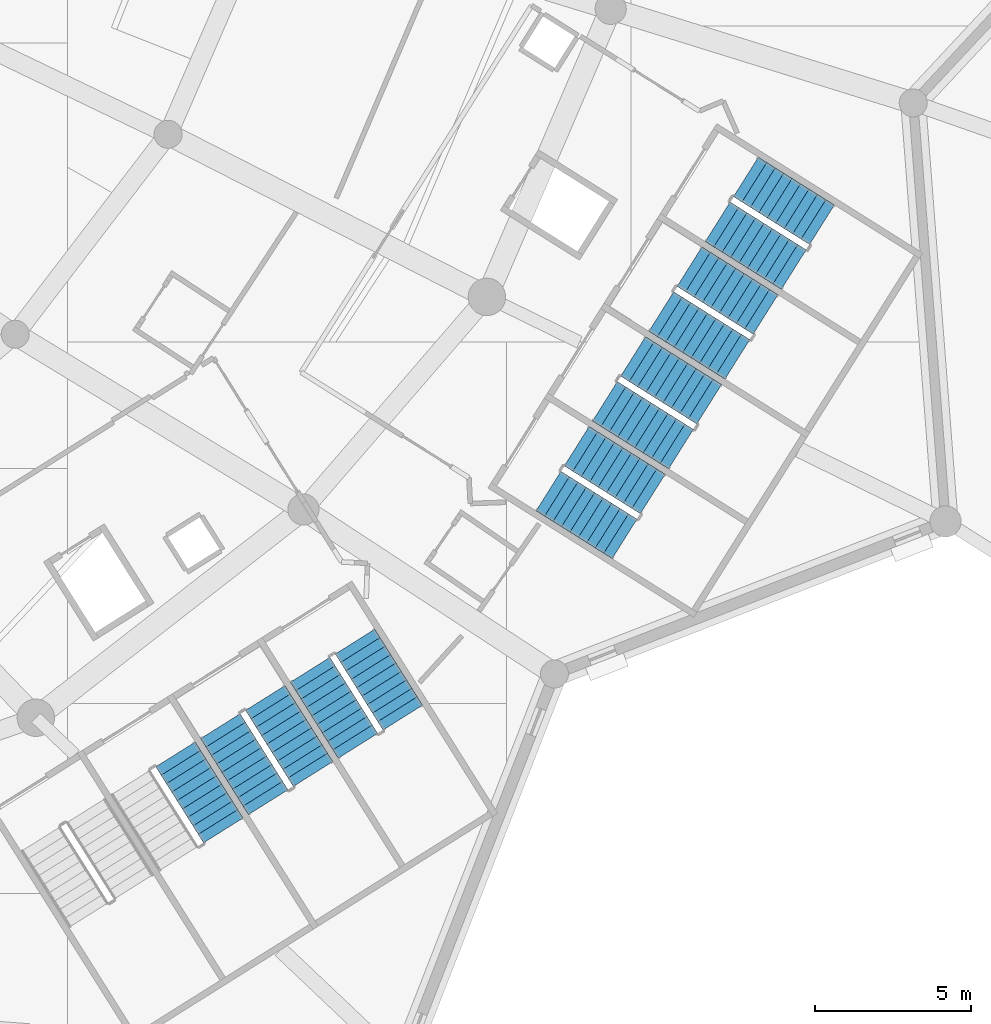
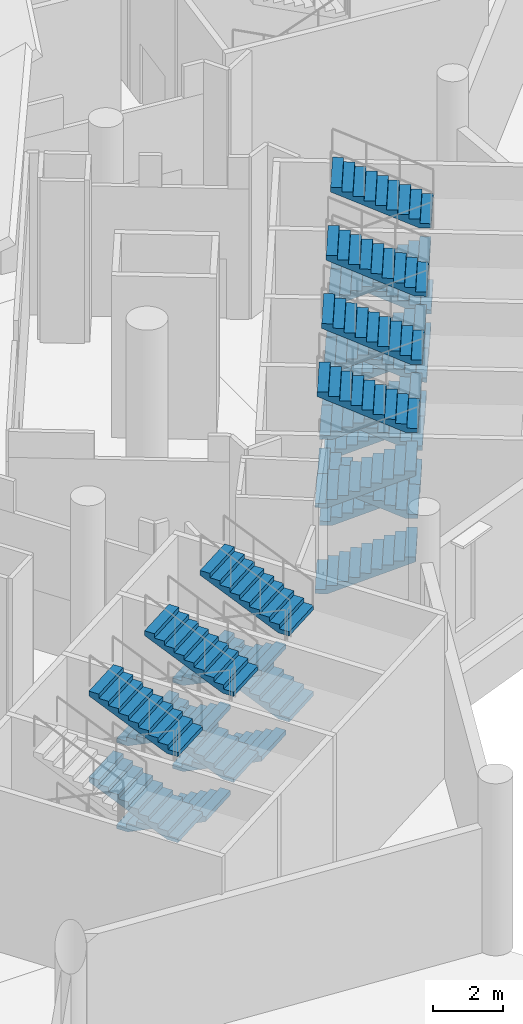
# One storey, part 188 of 249: 26 stair flights, 7 elements without a shape of their own.
"""IFC4 building model written with IfcOpenShell, lengths in metres."""

from ifc_helpers import new_model, si_unit, direction, frame, origin, place, context, subcontext, project, spatial, polyline, outline, extrude, material, type_object, element, aggregate, save


model = new_model("IFC4")

# Units and contexts
model_context = context("Model", 3, precision=1e-05, world=origin(), true_north=direction((0.0, 1.0)))
body_context = subcontext(model_context, "Body", "Model", "MODEL_VIEW")
ifc_project = project(units=[si_unit("LENGTHUNIT", "METRE"), si_unit("AREAUNIT", "SQUARE_METRE"), si_unit("VOLUMEUNIT", "CUBIC_METRE"), si_unit("PLANEANGLEUNIT", "RADIAN"), si_unit("MASSUNIT", "GRAM", prefix="KILO")], contexts=[model_context])

# Site, building, storey
site_placement = place(None, origin())
site = spatial("IfcSite", under=ifc_project, at=site_placement, CompositionType="ELEMENT")
building_placement = place(site_placement, origin())
building = spatial("IfcBuilding", under=site, at=building_placement, Name="Meseta Stadium", CompositionType="ELEMENT")
storey_placement = place(building_placement, frame((0.0, 0.0, 12.0)))
storey = spatial("IfcBuildingStorey", under=building, at=storey_placement, Name="L02", CompositionType="ELEMENT", Elevation=12.0)

# Stair, stair flights
ifc_material_1 = material(Name="Concrete C40/50", Category="concrete")
stair_type = type_object("IfcStairType", Name="Exit stair 4 flights 150 mm risers", PredefinedType="HALF_TURN_STAIR", material=ifc_material_1)
stair_1_placement = place(storey_placement, origin())
stair_1 = element("IfcStair", 1, at=stair_1_placement, inside=storey, type_object=stair_type, Name="ST106 L02", PredefinedType="HALF_TURN_STAIR")
ifc_material_2 = material(Name="Concrete C40/50", Category="concrete")
stair_flight_type = type_object("IfcStairFlightType", Name="Exit stair flight 150 mm risers, 4 per storey", PredefinedType="STRAIGHT", material=ifc_material_2)
stair_flight_1_placement = place(storey_placement, frame((69.7431640625, -89.384521484375, 1.5), z_axis=(0.0, 0.0, 1.0), x_axis=(-0.532032074404, 0.846724200555, 0.0)))
stair_flight_1 = element("IfcStairFlight", 2, at=stair_flight_1_placement, type_object=stair_flight_type, Name="ST106 L02 flight 2", NumberOfRisers=10, NumberOfTreads=9, PredefinedType="STRAIGHT", RiserHeight=0.15, TreadLength=0.32, context=body_context, shape_type="SweptSolid", body=[
    extrude(outline(polyline([(0.0, 0.0), (0.0, 0.14990234375), (0.320068359375, 0.14990234375), (0.320068359375, 0.300048828125), (0.639892578125, 0.300048828125), (0.639892578125, 0.449951171875), (0.9599609375, 0.449951171875), (0.9599609375, 0.60009765625), (1.280029296875, 0.60009765625), (1.280029296875, 0.75), (1.60009765625, 0.75), (1.60009765625, 0.89990234375), (1.919921875, 0.89990234375), (1.919921875, 1.050048828125), (2.239990234375, 1.050048828125), (2.239990234375, 1.199951171875), (2.56005859375, 1.199951171875), (2.56005859375, 1.35009765625), (2.8798828125, 1.35009765625), (2.8798828125, 1.184326171875), (0.353271484375, 0.0), (0.0, 0.0)])), frame((0.0, 0.75, 0.0), z_axis=(0.0, -1.0, 0.0), x_axis=(1.0, 0.0, 0.0)), (0.0, 0.0, 1.0), 1.5),
])
stair_flight_2_placement = place(storey_placement, frame((69.7431640625, -89.384521484375, 4.5), z_axis=(0.0, 0.0, 1.0), x_axis=(-0.532032074404, 0.846724200555, 0.0)))
stair_flight_2 = element("IfcStairFlight", 3, at=stair_flight_2_placement, type_object=stair_flight_type, Name="ST106 L02 flight 4", NumberOfRisers=10, NumberOfTreads=9, PredefinedType="STRAIGHT", RiserHeight=0.15, TreadLength=0.32, context=body_context, shape_type="SweptSolid", body=[
    extrude(outline(polyline([(0.0, 0.0), (0.0, 0.14990234375), (0.320068359375, 0.14990234375), (0.320068359375, 0.300048828125), (0.639892578125, 0.300048828125), (0.639892578125, 0.449951171875), (0.9599609375, 0.449951171875), (0.9599609375, 0.60009765625), (1.280029296875, 0.60009765625), (1.280029296875, 0.75), (1.60009765625, 0.75), (1.60009765625, 0.89990234375), (1.919921875, 0.89990234375), (1.919921875, 1.050048828125), (2.239990234375, 1.050048828125), (2.239990234375, 1.199951171875), (2.56005859375, 1.199951171875), (2.56005859375, 1.35009765625), (2.8798828125, 1.35009765625), (2.8798828125, 1.184326171875), (0.353271484375, 0.0), (0.0, 0.0)])), frame((0.0, 0.75, 0.0), z_axis=(0.0, -1.0, 0.0), x_axis=(1.0, 0.0, 0.0)), (0.0, 0.0, 1.0), 1.5),
])
aggregate(stair_1, [stair_flight_1, stair_flight_2])

stair_2_placement = place(storey_placement, origin())
stair_2 = element("IfcStair", 4, at=stair_2_placement, inside=storey, type_object=stair_type, Name="ST107 L02", PredefinedType="HALF_TURN_STAIR")
stair_flight_3_placement = place(storey_placement, frame((69.650390625, -86.04150390625, 0.0), z_axis=(0.0, 0.0, 1.0), x_axis=(0.532032074404, -0.846724200555, 0.0)))
stair_flight_3 = element("IfcStairFlight", 5, at=stair_flight_3_placement, type_object=stair_flight_type, Name="ST107 L02 flight 1", NumberOfRisers=10, NumberOfTreads=9, PredefinedType="STRAIGHT", RiserHeight=0.15, TreadLength=0.32, context=body_context, shape_type="SweptSolid", body=[
    extrude(outline(polyline([(0.0, 0.0), (0.0, 0.14990234375), (0.320068359375, 0.14990234375), (0.320068359375, 0.300048828125), (0.639892578125, 0.300048828125), (0.639892578125, 0.449951171875), (0.9599609375, 0.449951171875), (0.9599609375, 0.60009765625), (1.280029296875, 0.60009765625), (1.280029296875, 0.75), (1.60009765625, 0.75), (1.60009765625, 0.89990234375), (1.919921875, 0.89990234375), (1.919921875, 1.050048828125), (2.239990234375, 1.050048828125), (2.239990234375, 1.199951171875), (2.56005859375, 1.199951171875), (2.56005859375, 1.35009765625), (2.8798828125, 1.35009765625), (2.8798828125, 1.184326171875), (0.353271484375, 0.0), (0.0, 0.0)])), frame((0.0, 0.75, 0.0), z_axis=(0.0, -1.0, 0.0), x_axis=(1.0, 0.0, 0.0)), (0.0, 0.0, 1.0), 1.5),
])
stair_flight_4_placement = place(storey_placement, frame((72.6220703125, -87.57568359375, 1.5), z_axis=(0.0, 0.0, 1.0), x_axis=(-0.532032074404, 0.846724200555, 0.0)))
stair_flight_4 = element("IfcStairFlight", 6, at=stair_flight_4_placement, type_object=stair_flight_type, Name="ST107 L02 flight 2", NumberOfRisers=10, NumberOfTreads=9, PredefinedType="STRAIGHT", RiserHeight=0.15, TreadLength=0.32, context=body_context, shape_type="SweptSolid", body=[
    extrude(outline(polyline([(0.0, 0.0), (0.0, 0.14990234375), (0.320068359375, 0.14990234375), (0.320068359375, 0.300048828125), (0.639892578125, 0.300048828125), (0.639892578125, 0.449951171875), (0.9599609375, 0.449951171875), (0.9599609375, 0.60009765625), (1.280029296875, 0.60009765625), (1.280029296875, 0.75), (1.60009765625, 0.75), (1.60009765625, 0.89990234375), (1.919921875, 0.89990234375), (1.919921875, 1.050048828125), (2.239990234375, 1.050048828125), (2.239990234375, 1.199951171875), (2.56005859375, 1.199951171875), (2.56005859375, 1.35009765625), (2.8798828125, 1.35009765625), (2.8798828125, 1.184326171875), (0.353271484375, 0.0), (0.0, 0.0)])), frame((0.0, 0.75, 0.0), z_axis=(0.0, -1.0, 0.0), x_axis=(1.0, 0.0, 0.0)), (0.0, 0.0, 1.0), 1.5),
])
stair_flight_5_placement = place(storey_placement, frame((69.650390625, -86.04150390625, 3.0), z_axis=(0.0, 0.0, 1.0), x_axis=(0.532032074404, -0.846724200555, 0.0)))
stair_flight_5 = element("IfcStairFlight", 7, at=stair_flight_5_placement, type_object=stair_flight_type, Name="ST107 L02 flight 3", NumberOfRisers=10, NumberOfTreads=9, PredefinedType="STRAIGHT", RiserHeight=0.15, TreadLength=0.32, context=body_context, shape_type="SweptSolid", body=[
    extrude(outline(polyline([(0.0, 0.0), (0.0, 0.14990234375), (0.320068359375, 0.14990234375), (0.320068359375, 0.300048828125), (0.639892578125, 0.300048828125), (0.639892578125, 0.449951171875), (0.9599609375, 0.449951171875), (0.9599609375, 0.60009765625), (1.280029296875, 0.60009765625), (1.280029296875, 0.75), (1.60009765625, 0.75), (1.60009765625, 0.89990234375), (1.919921875, 0.89990234375), (1.919921875, 1.050048828125), (2.239990234375, 1.050048828125), (2.239990234375, 1.199951171875), (2.56005859375, 1.199951171875), (2.56005859375, 1.35009765625), (2.8798828125, 1.35009765625), (2.8798828125, 1.184326171875), (0.353271484375, 0.0), (0.0, 0.0)])), frame((0.0, 0.75, 0.0), z_axis=(0.0, -1.0, 0.0), x_axis=(1.0, 0.0, 0.0)), (0.0, 0.0, 1.0), 1.5),
])
stair_flight_6_placement = place(storey_placement, frame((72.6220703125, -87.57568359375, 4.5), z_axis=(0.0, 0.0, 1.0), x_axis=(-0.532032074404, 0.846724200555, 0.0)))
stair_flight_6 = element("IfcStairFlight", 8, at=stair_flight_6_placement, type_object=stair_flight_type, Name="ST107 L02 flight 4", NumberOfRisers=10, NumberOfTreads=9, PredefinedType="STRAIGHT", RiserHeight=0.15, TreadLength=0.32, context=body_context, shape_type="SweptSolid", body=[
    extrude(outline(polyline([(0.0, 0.0), (0.0, 0.14990234375), (0.320068359375, 0.14990234375), (0.320068359375, 0.300048828125), (0.639892578125, 0.300048828125), (0.639892578125, 0.449951171875), (0.9599609375, 0.449951171875), (0.9599609375, 0.60009765625), (1.280029296875, 0.60009765625), (1.280029296875, 0.75), (1.60009765625, 0.75), (1.60009765625, 0.89990234375), (1.919921875, 0.89990234375), (1.919921875, 1.050048828125), (2.239990234375, 1.050048828125), (2.239990234375, 1.199951171875), (2.56005859375, 1.199951171875), (2.56005859375, 1.35009765625), (2.8798828125, 1.35009765625), (2.8798828125, 1.184326171875), (0.353271484375, 0.0), (0.0, 0.0)])), frame((0.0, 0.75, 0.0), z_axis=(0.0, -1.0, 0.0), x_axis=(1.0, 0.0, 0.0)), (0.0, 0.0, 1.0), 1.5),
])
aggregate(stair_2, [stair_flight_3, stair_flight_4, stair_flight_5, stair_flight_6])

stair_3_placement = place(storey_placement, origin())
stair_3 = element("IfcStair", 9, at=stair_3_placement, inside=storey, type_object=stair_type, Name="ST108 L02", PredefinedType="HALF_TURN_STAIR")
stair_flight_7_placement = place(storey_placement, frame((72.529052734375, -84.232666015625, 0.0), z_axis=(0.0, 0.0, 1.0), x_axis=(0.532032074404, -0.846724200555, 0.0)))
stair_flight_7 = element("IfcStairFlight", 10, at=stair_flight_7_placement, type_object=stair_flight_type, Name="ST108 L02 flight 1", NumberOfRisers=10, NumberOfTreads=9, PredefinedType="STRAIGHT", RiserHeight=0.15, TreadLength=0.32, context=body_context, shape_type="SweptSolid", body=[
    extrude(outline(polyline([(0.0, 0.0), (0.0, 0.14990234375), (0.320068359375, 0.14990234375), (0.320068359375, 0.300048828125), (0.639892578125, 0.300048828125), (0.639892578125, 0.449951171875), (0.9599609375, 0.449951171875), (0.9599609375, 0.60009765625), (1.280029296875, 0.60009765625), (1.280029296875, 0.75), (1.60009765625, 0.75), (1.60009765625, 0.89990234375), (1.919921875, 0.89990234375), (1.919921875, 1.050048828125), (2.239990234375, 1.050048828125), (2.239990234375, 1.199951171875), (2.56005859375, 1.199951171875), (2.56005859375, 1.35009765625), (2.8798828125, 1.35009765625), (2.8798828125, 1.184326171875), (0.353271484375, 0.0), (0.0, 0.0)])), frame((0.0, 0.75, 0.0), z_axis=(0.0, -1.0, 0.0), x_axis=(1.0, 0.0, 0.0)), (0.0, 0.0, 1.0), 1.5),
])
stair_flight_8_placement = place(storey_placement, frame((75.500732421875, -85.766845703125, 1.5), z_axis=(0.0, 0.0, 1.0), x_axis=(-0.532032074404, 0.846724200555, 0.0)))
stair_flight_8 = element("IfcStairFlight", 11, at=stair_flight_8_placement, type_object=stair_flight_type, Name="ST108 L02 flight 2", NumberOfRisers=10, NumberOfTreads=9, PredefinedType="STRAIGHT", RiserHeight=0.15, TreadLength=0.32, context=body_context, shape_type="SweptSolid", body=[
    extrude(outline(polyline([(0.0, 0.0), (0.0, 0.14990234375), (0.320068359375, 0.14990234375), (0.320068359375, 0.300048828125), (0.639892578125, 0.300048828125), (0.639892578125, 0.449951171875), (0.9599609375, 0.449951171875), (0.9599609375, 0.60009765625), (1.280029296875, 0.60009765625), (1.280029296875, 0.75), (1.60009765625, 0.75), (1.60009765625, 0.89990234375), (1.919921875, 0.89990234375), (1.919921875, 1.050048828125), (2.239990234375, 1.050048828125), (2.239990234375, 1.199951171875), (2.56005859375, 1.199951171875), (2.56005859375, 1.35009765625), (2.8798828125, 1.35009765625), (2.8798828125, 1.184326171875), (0.353271484375, 0.0), (0.0, 0.0)])), frame((0.0, 0.75, 0.0), z_axis=(0.0, -1.0, 0.0), x_axis=(1.0, 0.0, 0.0)), (0.0, 0.0, 1.0), 1.5),
])
stair_flight_9_placement = place(storey_placement, frame((72.529052734375, -84.232666015625, 3.0), z_axis=(0.0, 0.0, 1.0), x_axis=(0.532032074404, -0.846724200555, 0.0)))
stair_flight_9 = element("IfcStairFlight", 12, at=stair_flight_9_placement, type_object=stair_flight_type, Name="ST108 L02 flight 3", NumberOfRisers=10, NumberOfTreads=9, PredefinedType="STRAIGHT", RiserHeight=0.15, TreadLength=0.32, context=body_context, shape_type="SweptSolid", body=[
    extrude(outline(polyline([(0.0, 0.0), (0.0, 0.14990234375), (0.320068359375, 0.14990234375), (0.320068359375, 0.300048828125), (0.639892578125, 0.300048828125), (0.639892578125, 0.449951171875), (0.9599609375, 0.449951171875), (0.9599609375, 0.60009765625), (1.280029296875, 0.60009765625), (1.280029296875, 0.75), (1.60009765625, 0.75), (1.60009765625, 0.89990234375), (1.919921875, 0.89990234375), (1.919921875, 1.050048828125), (2.239990234375, 1.050048828125), (2.239990234375, 1.199951171875), (2.56005859375, 1.199951171875), (2.56005859375, 1.35009765625), (2.8798828125, 1.35009765625), (2.8798828125, 1.184326171875), (0.353271484375, 0.0), (0.0, 0.0)])), frame((0.0, 0.75, 0.0), z_axis=(0.0, -1.0, 0.0), x_axis=(1.0, 0.0, 0.0)), (0.0, 0.0, 1.0), 1.5),
])
stair_flight_10_placement = place(storey_placement, frame((75.500732421875, -85.766845703125, 4.5), z_axis=(0.0, 0.0, 1.0), x_axis=(-0.532032074404, 0.846724200555, 0.0)))
stair_flight_10 = element("IfcStairFlight", 13, at=stair_flight_10_placement, type_object=stair_flight_type, Name="ST108 L02 flight 4", NumberOfRisers=10, NumberOfTreads=9, PredefinedType="STRAIGHT", RiserHeight=0.15, TreadLength=0.32, context=body_context, shape_type="SweptSolid", body=[
    extrude(outline(polyline([(0.0, 0.0), (0.0, 0.14990234375), (0.320068359375, 0.14990234375), (0.320068359375, 0.300048828125), (0.639892578125, 0.300048828125), (0.639892578125, 0.449951171875), (0.9599609375, 0.449951171875), (0.9599609375, 0.60009765625), (1.280029296875, 0.60009765625), (1.280029296875, 0.75), (1.60009765625, 0.75), (1.60009765625, 0.89990234375), (1.919921875, 0.89990234375), (1.919921875, 1.050048828125), (2.239990234375, 1.050048828125), (2.239990234375, 1.199951171875), (2.56005859375, 1.199951171875), (2.56005859375, 1.35009765625), (2.8798828125, 1.35009765625), (2.8798828125, 1.184326171875), (0.353271484375, 0.0), (0.0, 0.0)])), frame((0.0, 0.75, 0.0), z_axis=(0.0, -1.0, 0.0), x_axis=(1.0, 0.0, 0.0)), (0.0, 0.0, 1.0), 1.5),
])
aggregate(stair_3, [stair_flight_7, stair_flight_8, stair_flight_9, stair_flight_10])

stair_4_placement = place(storey_placement, origin())
stair_4 = element("IfcStair", 14, at=stair_4_placement, inside=storey, type_object=stair_type, Name="ST109 L02", PredefinedType="HALF_TURN_STAIR")
stair_flight_11_placement = place(storey_placement, frame((80.175048828125, -78.500732421875, 0.0), z_axis=(0.0, 0.0, 1.0), x_axis=(0.846724200555, -0.532032074404, 0.0)))
stair_flight_11 = element("IfcStairFlight", 15, at=stair_flight_11_placement, type_object=stair_flight_type, Name="ST109 L02 flight 1", NumberOfRisers=10, NumberOfTreads=9, PredefinedType="STRAIGHT", RiserHeight=0.15, TreadLength=0.32, context=body_context, shape_type="SweptSolid", body=[
    extrude(outline(polyline([(0.0, 0.0), (0.0, 0.14990234375), (0.320068359375, 0.14990234375), (0.320068359375, 0.300048828125), (0.639892578125, 0.300048828125), (0.639892578125, 0.449951171875), (0.9599609375, 0.449951171875), (0.9599609375, 0.60009765625), (1.280029296875, 0.60009765625), (1.280029296875, 0.75), (1.60009765625, 0.75), (1.60009765625, 0.89990234375), (1.919921875, 0.89990234375), (1.919921875, 1.050048828125), (2.239990234375, 1.050048828125), (2.239990234375, 1.199951171875), (2.56005859375, 1.199951171875), (2.56005859375, 1.35009765625), (2.8798828125, 1.35009765625), (2.8798828125, 1.184326171875), (0.353271484375, 0.0), (0.0, 0.0)])), frame((0.0, 0.75, 0.0), z_axis=(0.0, -1.0, 0.0), x_axis=(1.0, 0.0, 0.0)), (0.0, 0.0, 1.0), 1.5),
])
stair_flight_12_placement = place(storey_placement, frame((83.51806640625, -78.593505859375, 1.5), z_axis=(0.0, 0.0, 1.0), x_axis=(-0.846724200555, 0.532032074404, 0.0)))
stair_flight_12 = element("IfcStairFlight", 16, at=stair_flight_12_placement, type_object=stair_flight_type, Name="ST109 L02 flight 2", NumberOfRisers=10, NumberOfTreads=9, PredefinedType="STRAIGHT", RiserHeight=0.15, TreadLength=0.32, context=body_context, shape_type="SweptSolid", body=[
    extrude(outline(polyline([(0.0, 0.0), (0.0, 0.14990234375), (0.320068359375, 0.14990234375), (0.320068359375, 0.300048828125), (0.639892578125, 0.300048828125), (0.639892578125, 0.449951171875), (0.9599609375, 0.449951171875), (0.9599609375, 0.60009765625), (1.280029296875, 0.60009765625), (1.280029296875, 0.75), (1.60009765625, 0.75), (1.60009765625, 0.89990234375), (1.919921875, 0.89990234375), (1.919921875, 1.050048828125), (2.239990234375, 1.050048828125), (2.239990234375, 1.199951171875), (2.56005859375, 1.199951171875), (2.56005859375, 1.35009765625), (2.8798828125, 1.35009765625), (2.8798828125, 1.184326171875), (0.353271484375, 0.0), (0.0, 0.0)])), frame((0.0, 0.75, 0.0), z_axis=(0.0, -1.0, 0.0), x_axis=(1.0, 0.0, 0.0)), (0.0, 0.0, 1.0), 1.5),
])
stair_flight_13_placement = place(storey_placement, frame((80.175048828125, -78.500732421875, 3.0), z_axis=(0.0, 0.0, 1.0), x_axis=(0.846724200555, -0.532032074404, 0.0)))
stair_flight_13 = element("IfcStairFlight", 17, at=stair_flight_13_placement, type_object=stair_flight_type, Name="ST109 L02 flight 3", NumberOfRisers=10, NumberOfTreads=9, PredefinedType="STRAIGHT", RiserHeight=0.15, TreadLength=0.32, context=body_context, shape_type="SweptSolid", body=[
    extrude(outline(polyline([(0.0, 0.0), (0.0, 0.14990234375), (0.320068359375, 0.14990234375), (0.320068359375, 0.300048828125), (0.639892578125, 0.300048828125), (0.639892578125, 0.449951171875), (0.9599609375, 0.449951171875), (0.9599609375, 0.60009765625), (1.280029296875, 0.60009765625), (1.280029296875, 0.75), (1.60009765625, 0.75), (1.60009765625, 0.89990234375), (1.919921875, 0.89990234375), (1.919921875, 1.050048828125), (2.239990234375, 1.050048828125), (2.239990234375, 1.199951171875), (2.56005859375, 1.199951171875), (2.56005859375, 1.35009765625), (2.8798828125, 1.35009765625), (2.8798828125, 1.184326171875), (0.353271484375, 0.0), (0.0, 0.0)])), frame((0.0, 0.75, 0.0), z_axis=(0.0, -1.0, 0.0), x_axis=(1.0, 0.0, 0.0)), (0.0, 0.0, 1.0), 1.5),
])
stair_flight_14_placement = place(storey_placement, frame((83.51806640625, -78.593505859375, 4.5), z_axis=(0.0, 0.0, 1.0), x_axis=(-0.846724200555, 0.532032074404, 0.0)))
stair_flight_14 = element("IfcStairFlight", 18, at=stair_flight_14_placement, type_object=stair_flight_type, Name="ST109 L02 flight 4", NumberOfRisers=10, NumberOfTreads=9, PredefinedType="STRAIGHT", RiserHeight=0.15, TreadLength=0.32, context=body_context, shape_type="SweptSolid", body=[
    extrude(outline(polyline([(0.0, 0.0), (0.0, 0.14990234375), (0.320068359375, 0.14990234375), (0.320068359375, 0.300048828125), (0.639892578125, 0.300048828125), (0.639892578125, 0.449951171875), (0.9599609375, 0.449951171875), (0.9599609375, 0.60009765625), (1.280029296875, 0.60009765625), (1.280029296875, 0.75), (1.60009765625, 0.75), (1.60009765625, 0.89990234375), (1.919921875, 0.89990234375), (1.919921875, 1.050048828125), (2.239990234375, 1.050048828125), (2.239990234375, 1.199951171875), (2.56005859375, 1.199951171875), (2.56005859375, 1.35009765625), (2.8798828125, 1.35009765625), (2.8798828125, 1.184326171875), (0.353271484375, 0.0), (0.0, 0.0)])), frame((0.0, 0.75, 0.0), z_axis=(0.0, -1.0, 0.0), x_axis=(1.0, 0.0, 0.0)), (0.0, 0.0, 1.0), 1.5),
])
aggregate(stair_4, [stair_flight_11, stair_flight_12, stair_flight_13, stair_flight_14])

stair_5_placement = place(storey_placement, origin())
stair_5 = element("IfcStair", 19, at=stair_5_placement, inside=storey, type_object=stair_type, Name="ST110 L02", PredefinedType="HALF_TURN_STAIR")
stair_flight_15_placement = place(storey_placement, frame((81.98388671875, -75.621826171875, 0.0), z_axis=(0.0, 0.0, 1.0), x_axis=(0.846724200555, -0.532032074404, 0.0)))
stair_flight_15 = element("IfcStairFlight", 20, at=stair_flight_15_placement, type_object=stair_flight_type, Name="ST110 L02 flight 1", NumberOfRisers=10, NumberOfTreads=9, PredefinedType="STRAIGHT", RiserHeight=0.15, TreadLength=0.32, context=body_context, shape_type="SweptSolid", body=[
    extrude(outline(polyline([(0.0, 0.0), (0.0, 0.14990234375), (0.320068359375, 0.14990234375), (0.320068359375, 0.300048828125), (0.639892578125, 0.300048828125), (0.639892578125, 0.449951171875), (0.9599609375, 0.449951171875), (0.9599609375, 0.60009765625), (1.280029296875, 0.60009765625), (1.280029296875, 0.75), (1.60009765625, 0.75), (1.60009765625, 0.89990234375), (1.919921875, 0.89990234375), (1.919921875, 1.050048828125), (2.239990234375, 1.050048828125), (2.239990234375, 1.199951171875), (2.56005859375, 1.199951171875), (2.56005859375, 1.35009765625), (2.8798828125, 1.35009765625), (2.8798828125, 1.184326171875), (0.353271484375, 0.0), (0.0, 0.0)])), frame((0.0, 0.75, 0.0), z_axis=(0.0, -1.0, 0.0), x_axis=(1.0, 0.0, 0.0)), (0.0, 0.0, 1.0), 1.5),
])
stair_flight_16_placement = place(storey_placement, frame((85.326904296875, -75.714599609375, 1.5), z_axis=(0.0, 0.0, 1.0), x_axis=(-0.846724200555, 0.532032074404, 0.0)))
stair_flight_16 = element("IfcStairFlight", 21, at=stair_flight_16_placement, type_object=stair_flight_type, Name="ST110 L02 flight 2", NumberOfRisers=10, NumberOfTreads=9, PredefinedType="STRAIGHT", RiserHeight=0.15, TreadLength=0.32, context=body_context, shape_type="SweptSolid", body=[
    extrude(outline(polyline([(0.0, 0.0), (0.0, 0.14990234375), (0.320068359375, 0.14990234375), (0.320068359375, 0.300048828125), (0.639892578125, 0.300048828125), (0.639892578125, 0.449951171875), (0.9599609375, 0.449951171875), (0.9599609375, 0.60009765625), (1.280029296875, 0.60009765625), (1.280029296875, 0.75), (1.60009765625, 0.75), (1.60009765625, 0.89990234375), (1.919921875, 0.89990234375), (1.919921875, 1.050048828125), (2.239990234375, 1.050048828125), (2.239990234375, 1.199951171875), (2.56005859375, 1.199951171875), (2.56005859375, 1.35009765625), (2.8798828125, 1.35009765625), (2.8798828125, 1.184326171875), (0.353271484375, 0.0), (0.0, 0.0)])), frame((0.0, 0.75, 0.0), z_axis=(0.0, -1.0, 0.0), x_axis=(1.0, 0.0, 0.0)), (0.0, 0.0, 1.0), 1.5),
])
stair_flight_17_placement = place(storey_placement, frame((81.98388671875, -75.621826171875, 3.0), z_axis=(0.0, 0.0, 1.0), x_axis=(0.846724200555, -0.532032074404, 0.0)))
stair_flight_17 = element("IfcStairFlight", 22, at=stair_flight_17_placement, type_object=stair_flight_type, Name="ST110 L02 flight 3", NumberOfRisers=10, NumberOfTreads=9, PredefinedType="STRAIGHT", RiserHeight=0.15, TreadLength=0.32, context=body_context, shape_type="SweptSolid", body=[
    extrude(outline(polyline([(0.0, 0.0), (0.0, 0.14990234375), (0.320068359375, 0.14990234375), (0.320068359375, 0.300048828125), (0.639892578125, 0.300048828125), (0.639892578125, 0.449951171875), (0.9599609375, 0.449951171875), (0.9599609375, 0.60009765625), (1.280029296875, 0.60009765625), (1.280029296875, 0.75), (1.60009765625, 0.75), (1.60009765625, 0.89990234375), (1.919921875, 0.89990234375), (1.919921875, 1.050048828125), (2.239990234375, 1.050048828125), (2.239990234375, 1.199951171875), (2.56005859375, 1.199951171875), (2.56005859375, 1.35009765625), (2.8798828125, 1.35009765625), (2.8798828125, 1.184326171875), (0.353271484375, 0.0), (0.0, 0.0)])), frame((0.0, 0.75, 0.0), z_axis=(0.0, -1.0, 0.0), x_axis=(1.0, 0.0, 0.0)), (0.0, 0.0, 1.0), 1.5),
])
stair_flight_18_placement = place(storey_placement, frame((85.326904296875, -75.714599609375, 4.5), z_axis=(0.0, 0.0, 1.0), x_axis=(-0.846724200555, 0.532032074404, 0.0)))
stair_flight_18 = element("IfcStairFlight", 23, at=stair_flight_18_placement, type_object=stair_flight_type, Name="ST110 L02 flight 4", NumberOfRisers=10, NumberOfTreads=9, PredefinedType="STRAIGHT", RiserHeight=0.15, TreadLength=0.32, context=body_context, shape_type="SweptSolid", body=[
    extrude(outline(polyline([(0.0, 0.0), (0.0, 0.14990234375), (0.320068359375, 0.14990234375), (0.320068359375, 0.300048828125), (0.639892578125, 0.300048828125), (0.639892578125, 0.449951171875), (0.9599609375, 0.449951171875), (0.9599609375, 0.60009765625), (1.280029296875, 0.60009765625), (1.280029296875, 0.75), (1.60009765625, 0.75), (1.60009765625, 0.89990234375), (1.919921875, 0.89990234375), (1.919921875, 1.050048828125), (2.239990234375, 1.050048828125), (2.239990234375, 1.199951171875), (2.56005859375, 1.199951171875), (2.56005859375, 1.35009765625), (2.8798828125, 1.35009765625), (2.8798828125, 1.184326171875), (0.353271484375, 0.0), (0.0, 0.0)])), frame((0.0, 0.75, 0.0), z_axis=(0.0, -1.0, 0.0), x_axis=(1.0, 0.0, 0.0)), (0.0, 0.0, 1.0), 1.5),
])
aggregate(stair_5, [stair_flight_15, stair_flight_16, stair_flight_17, stair_flight_18])

stair_6_placement = place(storey_placement, origin())
stair_6 = element("IfcStair", 24, at=stair_6_placement, inside=storey, type_object=stair_type, Name="ST111 L02", PredefinedType="HALF_TURN_STAIR")
stair_flight_19_placement = place(storey_placement, frame((83.792724609375, -72.742919921875, 0.0), z_axis=(0.0, 0.0, 1.0), x_axis=(0.846724200555, -0.532032074404, 0.0)))
stair_flight_19 = element("IfcStairFlight", 25, at=stair_flight_19_placement, type_object=stair_flight_type, Name="ST111 L02 flight 1", NumberOfRisers=10, NumberOfTreads=9, PredefinedType="STRAIGHT", RiserHeight=0.15, TreadLength=0.32, context=body_context, shape_type="SweptSolid", body=[
    extrude(outline(polyline([(0.0, 0.0), (0.0, 0.14990234375), (0.320068359375, 0.14990234375), (0.320068359375, 0.300048828125), (0.639892578125, 0.300048828125), (0.639892578125, 0.449951171875), (0.9599609375, 0.449951171875), (0.9599609375, 0.60009765625), (1.280029296875, 0.60009765625), (1.280029296875, 0.75), (1.60009765625, 0.75), (1.60009765625, 0.89990234375), (1.919921875, 0.89990234375), (1.919921875, 1.050048828125), (2.239990234375, 1.050048828125), (2.239990234375, 1.199951171875), (2.56005859375, 1.199951171875), (2.56005859375, 1.35009765625), (2.8798828125, 1.35009765625), (2.8798828125, 1.184326171875), (0.353271484375, 0.0), (0.0, 0.0)])), frame((0.0, 0.75, 0.0), z_axis=(0.0, -1.0, 0.0), x_axis=(1.0, 0.0, 0.0)), (0.0, 0.0, 1.0), 1.5),
])
stair_flight_20_placement = place(storey_placement, frame((87.1357421875, -72.835693359375, 1.5), z_axis=(0.0, 0.0, 1.0), x_axis=(-0.846724200555, 0.532032074404, 0.0)))
stair_flight_20 = element("IfcStairFlight", 26, at=stair_flight_20_placement, type_object=stair_flight_type, Name="ST111 L02 flight 2", NumberOfRisers=10, NumberOfTreads=9, PredefinedType="STRAIGHT", RiserHeight=0.15, TreadLength=0.32, context=body_context, shape_type="SweptSolid", body=[
    extrude(outline(polyline([(0.0, 0.0), (0.0, 0.14990234375), (0.320068359375, 0.14990234375), (0.320068359375, 0.300048828125), (0.639892578125, 0.300048828125), (0.639892578125, 0.449951171875), (0.9599609375, 0.449951171875), (0.9599609375, 0.60009765625), (1.280029296875, 0.60009765625), (1.280029296875, 0.75), (1.60009765625, 0.75), (1.60009765625, 0.89990234375), (1.919921875, 0.89990234375), (1.919921875, 1.050048828125), (2.239990234375, 1.050048828125), (2.239990234375, 1.199951171875), (2.56005859375, 1.199951171875), (2.56005859375, 1.35009765625), (2.8798828125, 1.35009765625), (2.8798828125, 1.184326171875), (0.353271484375, 0.0), (0.0, 0.0)])), frame((0.0, 0.75, 0.0), z_axis=(0.0, -1.0, 0.0), x_axis=(1.0, 0.0, 0.0)), (0.0, 0.0, 1.0), 1.5),
])
stair_flight_21_placement = place(storey_placement, frame((83.792724609375, -72.742919921875, 3.0), z_axis=(0.0, 0.0, 1.0), x_axis=(0.846724200555, -0.532032074404, 0.0)))
stair_flight_21 = element("IfcStairFlight", 27, at=stair_flight_21_placement, type_object=stair_flight_type, Name="ST111 L02 flight 3", NumberOfRisers=10, NumberOfTreads=9, PredefinedType="STRAIGHT", RiserHeight=0.15, TreadLength=0.32, context=body_context, shape_type="SweptSolid", body=[
    extrude(outline(polyline([(0.0, 0.0), (0.0, 0.14990234375), (0.320068359375, 0.14990234375), (0.320068359375, 0.300048828125), (0.639892578125, 0.300048828125), (0.639892578125, 0.449951171875), (0.9599609375, 0.449951171875), (0.9599609375, 0.60009765625), (1.280029296875, 0.60009765625), (1.280029296875, 0.75), (1.60009765625, 0.75), (1.60009765625, 0.89990234375), (1.919921875, 0.89990234375), (1.919921875, 1.050048828125), (2.239990234375, 1.050048828125), (2.239990234375, 1.199951171875), (2.56005859375, 1.199951171875), (2.56005859375, 1.35009765625), (2.8798828125, 1.35009765625), (2.8798828125, 1.184326171875), (0.353271484375, 0.0), (0.0, 0.0)])), frame((0.0, 0.75, 0.0), z_axis=(0.0, -1.0, 0.0), x_axis=(1.0, 0.0, 0.0)), (0.0, 0.0, 1.0), 1.5),
])
stair_flight_22_placement = place(storey_placement, frame((87.1357421875, -72.835693359375, 4.5), z_axis=(0.0, 0.0, 1.0), x_axis=(-0.846724200555, 0.532032074404, 0.0)))
stair_flight_22 = element("IfcStairFlight", 28, at=stair_flight_22_placement, type_object=stair_flight_type, Name="ST111 L02 flight 4", NumberOfRisers=10, NumberOfTreads=9, PredefinedType="STRAIGHT", RiserHeight=0.15, TreadLength=0.32, context=body_context, shape_type="SweptSolid", body=[
    extrude(outline(polyline([(0.0, 0.0), (0.0, 0.14990234375), (0.320068359375, 0.14990234375), (0.320068359375, 0.300048828125), (0.639892578125, 0.300048828125), (0.639892578125, 0.449951171875), (0.9599609375, 0.449951171875), (0.9599609375, 0.60009765625), (1.280029296875, 0.60009765625), (1.280029296875, 0.75), (1.60009765625, 0.75), (1.60009765625, 0.89990234375), (1.919921875, 0.89990234375), (1.919921875, 1.050048828125), (2.239990234375, 1.050048828125), (2.239990234375, 1.199951171875), (2.56005859375, 1.199951171875), (2.56005859375, 1.35009765625), (2.8798828125, 1.35009765625), (2.8798828125, 1.184326171875), (0.353271484375, 0.0), (0.0, 0.0)])), frame((0.0, 0.75, 0.0), z_axis=(0.0, -1.0, 0.0), x_axis=(1.0, 0.0, 0.0)), (0.0, 0.0, 1.0), 1.5),
])
aggregate(stair_6, [stair_flight_19, stair_flight_20, stair_flight_21, stair_flight_22])

stair_7_placement = place(storey_placement, origin())
stair_7 = element("IfcStair", 29, at=stair_7_placement, inside=storey, type_object=stair_type, Name="ST112 L02", PredefinedType="HALF_TURN_STAIR")
stair_flight_23_placement = place(storey_placement, frame((85.6015625, -69.864013671875, 0.0), z_axis=(0.0, 0.0, 1.0), x_axis=(0.846724200555, -0.532032074404, 0.0)))
stair_flight_23 = element("IfcStairFlight", 30, at=stair_flight_23_placement, type_object=stair_flight_type, Name="ST112 L02 flight 1", NumberOfRisers=10, NumberOfTreads=9, PredefinedType="STRAIGHT", RiserHeight=0.15, TreadLength=0.32, context=body_context, shape_type="SweptSolid", body=[
    extrude(outline(polyline([(0.0, 0.0), (0.0, 0.14990234375), (0.320068359375, 0.14990234375), (0.320068359375, 0.300048828125), (0.639892578125, 0.300048828125), (0.639892578125, 0.449951171875), (0.9599609375, 0.449951171875), (0.9599609375, 0.60009765625), (1.280029296875, 0.60009765625), (1.280029296875, 0.75), (1.60009765625, 0.75), (1.60009765625, 0.89990234375), (1.919921875, 0.89990234375), (1.919921875, 1.050048828125), (2.239990234375, 1.050048828125), (2.239990234375, 1.199951171875), (2.56005859375, 1.199951171875), (2.56005859375, 1.35009765625), (2.8798828125, 1.35009765625), (2.8798828125, 1.184326171875), (0.353271484375, 0.0), (0.0, 0.0)])), frame((0.0, 0.75, 0.0), z_axis=(0.0, -1.0, 0.0), x_axis=(1.0, 0.0, 0.0)), (0.0, 0.0, 1.0), 1.5),
])
stair_flight_24_placement = place(storey_placement, frame((88.944580078125, -69.956787109375, 1.5), z_axis=(0.0, 0.0, 1.0), x_axis=(-0.846724200555, 0.532032074404, 0.0)))
stair_flight_24 = element("IfcStairFlight", 31, at=stair_flight_24_placement, type_object=stair_flight_type, Name="ST112 L02 flight 2", NumberOfRisers=10, NumberOfTreads=9, PredefinedType="STRAIGHT", RiserHeight=0.15, TreadLength=0.32, context=body_context, shape_type="SweptSolid", body=[
    extrude(outline(polyline([(0.0, 0.0), (0.0, 0.14990234375), (0.320068359375, 0.14990234375), (0.320068359375, 0.300048828125), (0.639892578125, 0.300048828125), (0.639892578125, 0.449951171875), (0.9599609375, 0.449951171875), (0.9599609375, 0.60009765625), (1.280029296875, 0.60009765625), (1.280029296875, 0.75), (1.60009765625, 0.75), (1.60009765625, 0.89990234375), (1.919921875, 0.89990234375), (1.919921875, 1.050048828125), (2.239990234375, 1.050048828125), (2.239990234375, 1.199951171875), (2.56005859375, 1.199951171875), (2.56005859375, 1.35009765625), (2.8798828125, 1.35009765625), (2.8798828125, 1.184326171875), (0.353271484375, 0.0), (0.0, 0.0)])), frame((0.0, 0.75, 0.0), z_axis=(0.0, -1.0, 0.0), x_axis=(1.0, 0.0, 0.0)), (0.0, 0.0, 1.0), 1.5),
])
stair_flight_25_placement = place(storey_placement, frame((85.6015625, -69.864013671875, 3.0), z_axis=(0.0, 0.0, 1.0), x_axis=(0.846724200555, -0.532032074404, 0.0)))
stair_flight_25 = element("IfcStairFlight", 32, at=stair_flight_25_placement, type_object=stair_flight_type, Name="ST112 L02 flight 3", NumberOfRisers=10, NumberOfTreads=9, PredefinedType="STRAIGHT", RiserHeight=0.15, TreadLength=0.32, context=body_context, shape_type="SweptSolid", body=[
    extrude(outline(polyline([(0.0, 0.0), (0.0, 0.14990234375), (0.320068359375, 0.14990234375), (0.320068359375, 0.300048828125), (0.639892578125, 0.300048828125), (0.639892578125, 0.449951171875), (0.9599609375, 0.449951171875), (0.9599609375, 0.60009765625), (1.280029296875, 0.60009765625), (1.280029296875, 0.75), (1.60009765625, 0.75), (1.60009765625, 0.89990234375), (1.919921875, 0.89990234375), (1.919921875, 1.050048828125), (2.239990234375, 1.050048828125), (2.239990234375, 1.199951171875), (2.56005859375, 1.199951171875), (2.56005859375, 1.35009765625), (2.8798828125, 1.35009765625), (2.8798828125, 1.184326171875), (0.353271484375, 0.0), (0.0, 0.0)])), frame((0.0, 0.75, 0.0), z_axis=(0.0, -1.0, 0.0), x_axis=(1.0, 0.0, 0.0)), (0.0, 0.0, 1.0), 1.5),
])
stair_flight_26_placement = place(storey_placement, frame((88.944580078125, -69.956787109375, 4.5), z_axis=(0.0, 0.0, 1.0), x_axis=(-0.846724200555, 0.532032074404, 0.0)))
stair_flight_26 = element("IfcStairFlight", 33, at=stair_flight_26_placement, type_object=stair_flight_type, Name="ST112 L02 flight 4", NumberOfRisers=10, NumberOfTreads=9, PredefinedType="STRAIGHT", RiserHeight=0.15, TreadLength=0.32, context=body_context, shape_type="SweptSolid", body=[
    extrude(outline(polyline([(0.0, 0.0), (0.0, 0.14990234375), (0.320068359375, 0.14990234375), (0.320068359375, 0.300048828125), (0.639892578125, 0.300048828125), (0.639892578125, 0.449951171875), (0.9599609375, 0.449951171875), (0.9599609375, 0.60009765625), (1.280029296875, 0.60009765625), (1.280029296875, 0.75), (1.60009765625, 0.75), (1.60009765625, 0.89990234375), (1.919921875, 0.89990234375), (1.919921875, 1.050048828125), (2.239990234375, 1.050048828125), (2.239990234375, 1.199951171875), (2.56005859375, 1.199951171875), (2.56005859375, 1.35009765625), (2.8798828125, 1.35009765625), (2.8798828125, 1.184326171875), (0.353271484375, 0.0), (0.0, 0.0)])), frame((0.0, 0.75, 0.0), z_axis=(0.0, -1.0, 0.0), x_axis=(1.0, 0.0, 0.0)), (0.0, 0.0, 1.0), 1.5),
])
aggregate(stair_7, [stair_flight_23, stair_flight_24, stair_flight_25, stair_flight_26])

save(model, "model.ifc")
